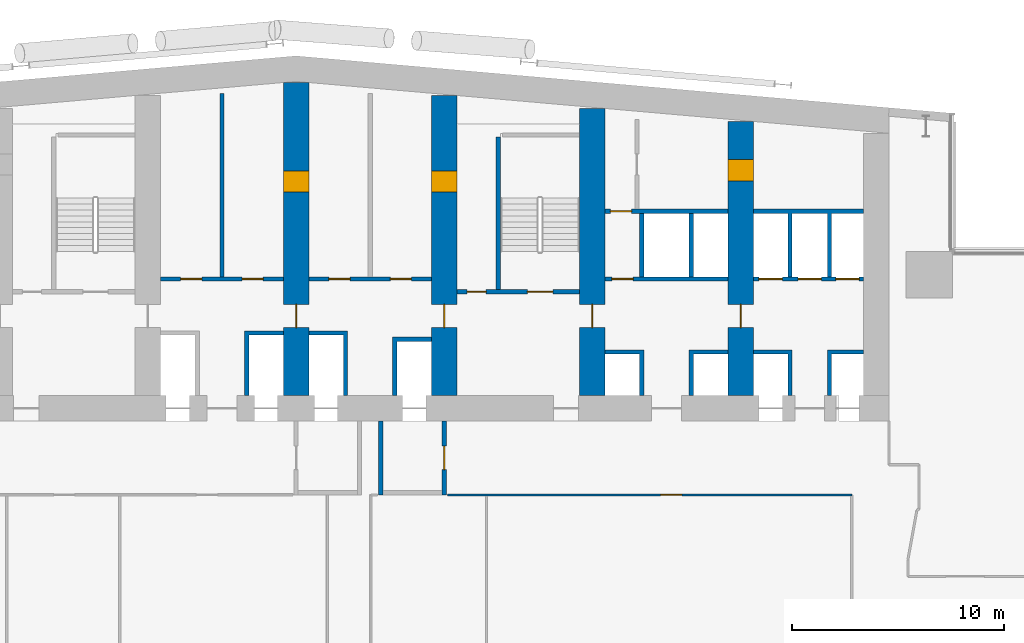
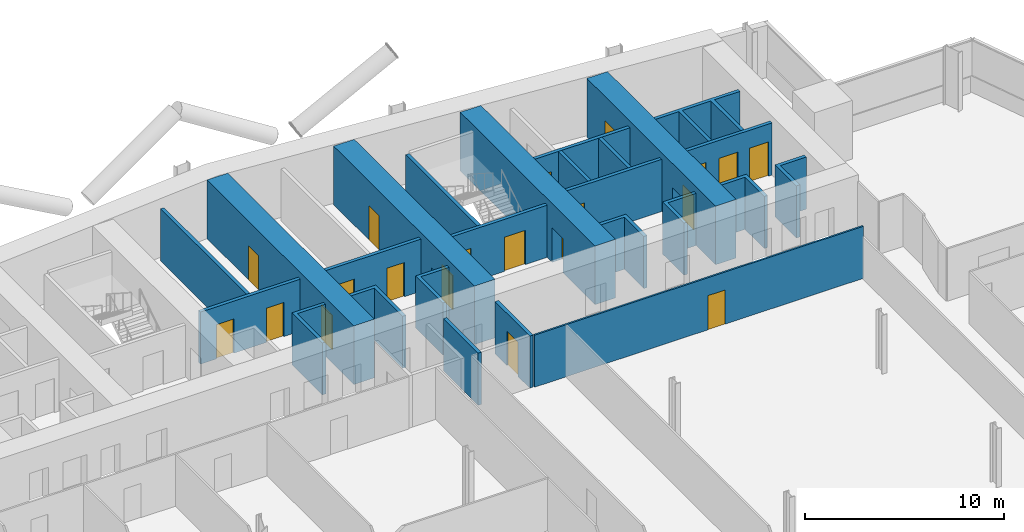
# One storey, part 15 of 25: 25 walls, 20 doors, 20 openings.
"""IFC4 building model written with IfcOpenShell, lengths in metres."""

from ifc_helpers import new_model, si_unit, direction, frame, frame_2d, origin, place, context, subcontext, project, spatial, polyline, rectangle, outline, extrude, material, layer, layer_set, type_object, element, fill, save


model = new_model("IFC4")

# Units and contexts
model_context = context("Model", 3, precision=1e-05, world=origin(), true_north=direction((0.0, 1.0)))
body_context = subcontext(model_context, "Body", "Model", "MODEL_VIEW")
ifc_project = project(units=[si_unit("LENGTHUNIT", "METRE"), si_unit("AREAUNIT", "SQUARE_METRE"), si_unit("VOLUMEUNIT", "CUBIC_METRE"), si_unit("PLANEANGLEUNIT", "RADIAN"), si_unit("MASSUNIT", "GRAM", prefix="KILO")], contexts=[model_context])

# Site, building, storey
site_placement = place(None, origin())
site = spatial("IfcSite", under=ifc_project, at=site_placement, CompositionType="ELEMENT")
building_placement = place(site_placement, origin())
building = spatial("IfcBuilding", under=site, at=building_placement, Name="Wharfspan Tower", CompositionType="ELEMENT")
storey_placement = place(building_placement, frame((0.0, 0.0, 70.300049)))
storey = spatial("IfcBuildingStorey", under=building, at=storey_placement, Name="L14", CompositionType="ELEMENT", Elevation=70.300049)

# Wall, opening, door
ifc_material_1 = material(Name="Gypsum board on steel studs", Category="steel")
ifc_layer_1 = layer(ifc_material_1, 0.100098)
ifc_layer_set_1 = layer_set([ifc_layer_1], Name="Gypsum board on steel studs")
wall_type_1 = type_object("IfcWallType", Name="Compartment wall 100 EI 60", PredefinedType="PARTITIONING", material=ifc_layer_set_1)
wall_1_placement = place(storey_placement, frame((44.149902, 30.5, 0.0), z_axis=(0.0, 0.0, 1.0), x_axis=(1.0, 0.0, 0.0)))
wall_1 = element("IfcWall", 1, at=wall_1_placement, inside=storey, type_object=wall_type_1, Name="Partition L14.w018 (2)", PredefinedType="PARTITIONING", context=body_context, shape_type="SweptSolid", body=[
    extrude(rectangle(XDim=19.100098, YDim=0.100098, at=frame_2d((9.550049, 0.0))), origin(), (0.0, 0.0, 1.0), 3.199951),
])
opening_1_placement = place(wall_1_placement, frame((10.070068, 0.0, 0.0)))
opening_1 = element("IfcOpeningElement", 2, at=opening_1_placement, cuts=wall_1, Name="Opening A3-17", PredefinedType="OPENING", context=body_context, shape_type="SweptSolid", body=[
    extrude(rectangle(XDim=1.0, YDim=2.100098, at=frame_2d((0.5, 1.050049))), frame((0.0, 0.060059, 0.0), z_axis=(0.0, -1.0, 0.0), x_axis=(1.0, 0.0, 0.0)), (0.0, 0.0, 1.0), 0.120117),
])
ifc_material_2 = material(Name="Fire-rated timber door leaf in steel frame", Category="steel")
door_type_1 = type_object("IfcDoorType", Name="Door 1000 FD30S Right", OperationType="SINGLE_SWING_RIGHT", PredefinedType="DOOR", material=ifc_material_2)
door_1_placement = place(opening_1_placement, origin())
door_1 = element("IfcDoor", 3, at=door_1_placement, inside=storey, type_object=door_type_1, Name="Door A3-17", OperationType="SINGLE_SWING_RIGHT", OverallHeight=2.100098, OverallWidth=1.0, PredefinedType="DOOR", context=body_context, shape_type="SweptSolid", body=[
    extrude(rectangle(XDim=1.0, YDim=2.100098, at=frame_2d((0.5, 1.050049))), frame((0.0, 0.024902, 0.0), z_axis=(0.0, -1.0, 0.0), x_axis=(1.0, 0.0, 0.0)), (0.0, 0.0, 1.0), 0.050049),
])
fill(opening_1, door_1)

# Wall
ifc_material_3 = material(Name="Calcium silicate masonry", Category="masonry")
ifc_layer_2 = layer(ifc_material_3, 0.199951)
ifc_layer_set_2 = layer_set([ifc_layer_2], Name="Calcium silicate masonry")
wall_type_2 = type_object("IfcWallType", Name="Core room wall 200", PredefinedType="PARTITIONING", material=ifc_layer_set_2)
wall_2_placement = place(storey_placement, frame((33.5, 40.800049, 0.0), z_axis=(0.0, 0.0, 1.0), x_axis=(0.0, 1.0, 0.0)))
element("IfcWall", 4, at=wall_2_placement, inside=storey, type_object=wall_type_2, Name="sw:L14:RP3.1", PredefinedType="PARTITIONING", context=body_context, shape_type="SweptSolid", body=[
    extrude(rectangle(XDim=8.652588, YDim=0.199951, at=frame_2d((4.326172, 0.0))), origin(), (0.0, 0.0, 1.0), 3.199951),
])

# Wall, openings, doors
ifc_material_4 = material(Name="Concrete C70/85", Category="concrete")
ifc_layer_3 = layer(ifc_material_4, 1.199951)
ifc_layer_set_3 = layer_set([ifc_layer_3], Name="Concrete C70/85")
wall_type_3 = type_object("IfcWallType", Name="Core wall 1200 C70/85", PredefinedType="SHEAR", material=ifc_layer_set_3)
wall_3_placement = place(storey_placement, frame((37.0, 35.199951, 0.0), z_axis=(0.0, 0.0, 1.0), x_axis=(0.0, 1.0, 0.0)))
wall_3 = element("IfcWall", 5, at=wall_3_placement, inside=storey, type_object=wall_type_3, Name="Core cross wall X4 L14", PredefinedType="SHEAR", context=body_context, shape_type="SweptSolid", body=[
    extrude(rectangle(XDim=14.780029, YDim=1.199951, at=frame_2d((7.390137, 0.0))), origin(), (0.0, 0.0, 1.0), 3.599854),
])
opening_2_placement = place(wall_3_placement, frame((3.199951, 0.0, 0.0)))
opening_2 = element("IfcOpeningElement", 6, at=opening_2_placement, cuts=wall_3, Name="Opening CC14.4", PredefinedType="OPENING", context=body_context, shape_type="SweptSolid", body=[
    extrude(rectangle(XDim=1.100098, YDim=2.100098, at=frame_2d((0.550049, 1.050049))), frame((0.0, 0.609863, 0.0), z_axis=(0.0, -1.0, 0.0), x_axis=(1.0, 0.0, 0.0)), (0.0, 0.0, 1.0), 1.219971),
])
opening_3_placement = place(wall_3_placement, frame((9.600098, 0.0, 0.0)))
opening_3 = element("IfcOpeningElement", 7, at=opening_3_placement, cuts=wall_3, Name="Opening CR14.4", PredefinedType="OPENING", context=body_context, shape_type="SweptSolid", body=[
    extrude(rectangle(XDim=1.0, YDim=2.100098, at=frame_2d((0.5, 1.050049))), frame((0.0, 0.609863, 0.0), z_axis=(0.0, -1.0, 0.0), x_axis=(1.0, 0.0, 0.0)), (0.0, 0.0, 1.0), 1.219971),
])
ifc_material_5 = material(Name="Steel door leaf", Category="steel")
door_type_2 = type_object("IfcDoorType", Name="Core corridor door 1100x2100", OperationType="SINGLE_SWING_LEFT", PredefinedType="DOOR", material=ifc_material_5)
door_2_placement = place(opening_2_placement, origin())
door_2 = element("IfcDoor", 8, at=door_2_placement, inside=storey, type_object=door_type_2, Name="xd:L14:4", OperationType="SINGLE_SWING_RIGHT", OverallHeight=2.100098, OverallWidth=1.100098, PredefinedType="DOOR", context=body_context, shape_type="SweptSolid", body=[
    extrude(rectangle(XDim=1.100098, YDim=2.100098, at=frame_2d((0.550049, 1.050049))), frame((0.0, 0.024902, 0.0), z_axis=(0.0, -1.0, 0.0), x_axis=(1.0, 0.0, 0.0)), (0.0, 0.0, 1.0), 0.050049),
])
fill(opening_2, door_2)
door_type_3 = type_object("IfcDoorType", Name="Core room door 1000x2100", OperationType="SINGLE_SWING_LEFT", PredefinedType="DOOR", material=ifc_material_5)
door_3_placement = place(opening_3_placement, origin())
door_3 = element("IfcDoor", 9, at=door_3_placement, inside=storey, type_object=door_type_3, Name="xr:L14:4", OperationType="SINGLE_SWING_RIGHT", OverallHeight=2.100098, OverallWidth=1.0, PredefinedType="DOOR", context=body_context, shape_type="SweptSolid", body=[
    extrude(rectangle(XDim=1.0, YDim=2.100098, at=frame_2d((0.5, 1.050049))), frame((0.0, 0.599609, 0.0), z_axis=(0.0, -1.0, 0.0), x_axis=(1.0, 0.0, 0.0)), (0.0, 0.0, 1.0), 1.199463),
])
fill(opening_3, door_3)

wall_4_placement = place(storey_placement, frame((44.0, 35.199951, 0.0), z_axis=(0.0, 0.0, 1.0), x_axis=(0.0, 1.0, 0.0)))
wall_4 = element("IfcWall", 10, at=wall_4_placement, inside=storey, type_object=wall_type_3, Name="Core cross wall X5 L14", PredefinedType="SHEAR", context=body_context, shape_type="SweptSolid", body=[
    extrude(rectangle(XDim=14.167725, YDim=1.199951, at=frame_2d((7.083984, 0.0))), origin(), (0.0, 0.0, 1.0), 3.599854),
])
opening_4_placement = place(wall_4_placement, frame((3.199951, 0.0, 0.0)))
opening_4 = element("IfcOpeningElement", 11, at=opening_4_placement, cuts=wall_4, Name="Opening CC14.5", PredefinedType="OPENING", context=body_context, shape_type="SweptSolid", body=[
    extrude(rectangle(XDim=1.100098, YDim=2.100098, at=frame_2d((0.550049, 1.050049))), frame((0.0, 0.609863, 0.0), z_axis=(0.0, -1.0, 0.0), x_axis=(1.0, 0.0, 0.0)), (0.0, 0.0, 1.0), 1.219971),
])
opening_5_placement = place(wall_4_placement, frame((9.600098, 0.0, 0.0)))
opening_5 = element("IfcOpeningElement", 12, at=opening_5_placement, cuts=wall_4, Name="Opening CR14.5", PredefinedType="OPENING", context=body_context, shape_type="SweptSolid", body=[
    extrude(rectangle(XDim=1.0, YDim=2.100098, at=frame_2d((0.5, 1.050049))), frame((0.0, 0.609863, 0.0), z_axis=(0.0, -1.0, 0.0), x_axis=(1.0, 0.0, 0.0)), (0.0, 0.0, 1.0), 1.219971),
])
door_4_placement = place(opening_4_placement, origin())
door_4 = element("IfcDoor", 13, at=door_4_placement, inside=storey, type_object=door_type_2, Name="xd:L14:5", OperationType="SINGLE_SWING_LEFT", OverallHeight=2.100098, OverallWidth=1.100098, PredefinedType="DOOR", context=body_context, shape_type="SweptSolid", body=[
    extrude(rectangle(XDim=1.100098, YDim=2.100098, at=frame_2d((0.550049, 1.050049))), frame((0.0, 0.024902, 0.0), z_axis=(0.0, -1.0, 0.0), x_axis=(1.0, 0.0, 0.0)), (0.0, 0.0, 1.0), 0.050049),
])
fill(opening_4, door_4)
door_5_placement = place(opening_5_placement, origin())
door_5 = element("IfcDoor", 14, at=door_5_placement, inside=storey, type_object=door_type_3, Name="xr:L14:5", OperationType="SINGLE_SWING_RIGHT", OverallHeight=2.100098, OverallWidth=1.0, PredefinedType="DOOR", context=body_context, shape_type="SweptSolid", body=[
    extrude(rectangle(XDim=1.0, YDim=2.100098, at=frame_2d((0.5, 1.050049))), frame((0.0, 0.599609, 0.0), z_axis=(0.0, -1.0, 0.0), x_axis=(1.0, 0.0, 0.0)), (0.0, 0.0, 1.0), 1.199463),
])
fill(opening_5, door_5)

# Wall, opening, door
wall_5_placement = place(storey_placement, frame((51.0, 35.199951, 0.0), z_axis=(0.0, 0.0, 1.0), x_axis=(0.0, 1.0, 0.0)))
wall_5 = element("IfcWall", 15, at=wall_5_placement, inside=storey, type_object=wall_type_3, Name="Core cross wall X6 L14", PredefinedType="SHEAR", context=body_context, shape_type="SweptSolid", body=[
    extrude(rectangle(XDim=13.555176, YDim=1.199951, at=frame_2d((6.777588, 0.0))), origin(), (0.0, 0.0, 1.0), 3.599854),
])
opening_6_placement = place(wall_5_placement, frame((3.199951, 0.0, 0.0)))
opening_6 = element("IfcOpeningElement", 16, at=opening_6_placement, cuts=wall_5, Name="Opening CC14.6", PredefinedType="OPENING", context=body_context, shape_type="SweptSolid", body=[
    extrude(rectangle(XDim=1.100098, YDim=2.100098, at=frame_2d((0.550049, 1.050049))), frame((0.0, 0.609863, 0.0), z_axis=(0.0, -1.0, 0.0), x_axis=(1.0, 0.0, 0.0)), (0.0, 0.0, 1.0), 1.219971),
])
door_6_placement = place(opening_6_placement, origin())
door_6 = element("IfcDoor", 17, at=door_6_placement, inside=storey, type_object=door_type_2, Name="xd:L14:6", OperationType="SINGLE_SWING_RIGHT", OverallHeight=2.100098, OverallWidth=1.100098, PredefinedType="DOOR", context=body_context, shape_type="SweptSolid", body=[
    extrude(rectangle(XDim=1.100098, YDim=2.100098, at=frame_2d((0.550049, 1.050049))), frame((0.0, 0.024902, 0.0), z_axis=(0.0, -1.0, 0.0), x_axis=(1.0, 0.0, 0.0)), (0.0, 0.0, 1.0), 0.050049),
])
fill(opening_6, door_6)

# Wall, openings, doors
wall_6_placement = place(storey_placement, frame((58.0, 35.199951, 0.0), z_axis=(0.0, 0.0, 1.0), x_axis=(0.0, 1.0, 0.0)))
wall_6 = element("IfcWall", 18, at=wall_6_placement, inside=storey, type_object=wall_type_3, Name="Core cross wall X7 L14", PredefinedType="SHEAR", context=body_context, shape_type="SweptSolid", body=[
    extrude(rectangle(XDim=12.942871, YDim=1.199951, at=frame_2d((6.471436, 0.0))), origin(), (0.0, 0.0, 1.0), 3.599854),
])
opening_7_placement = place(wall_6_placement, frame((10.133789, 0.0, 0.0)))
opening_7 = element("IfcOpeningElement", 19, at=opening_7_placement, cuts=wall_6, Name="Opening CD14.7X", PredefinedType="OPENING", context=body_context, shape_type="SweptSolid", body=[
    extrude(rectangle(XDim=1.0, YDim=2.100098, at=frame_2d((0.5, 1.050049))), frame((0.0, 0.609863, 0.0), z_axis=(0.0, -1.0, 0.0), x_axis=(1.0, 0.0, 0.0)), (0.0, 0.0, 1.0), 1.219971),
])
opening_8_placement = place(wall_6_placement, frame((3.199951, 0.0, 0.0)))
opening_8 = element("IfcOpeningElement", 20, at=opening_8_placement, cuts=wall_6, Name="Opening CC14.7", PredefinedType="OPENING", context=body_context, shape_type="SweptSolid", body=[
    extrude(rectangle(XDim=1.100098, YDim=2.100098, at=frame_2d((0.550049, 1.050049))), frame((0.0, 0.609863, 0.0), z_axis=(0.0, -1.0, 0.0), x_axis=(1.0, 0.0, 0.0)), (0.0, 0.0, 1.0), 1.219971),
])
door_7_placement = place(opening_8_placement, origin())
door_7 = element("IfcDoor", 21, at=door_7_placement, inside=storey, type_object=door_type_2, Name="xd:L14:7", OperationType="SINGLE_SWING_LEFT", OverallHeight=2.100098, OverallWidth=1.100098, PredefinedType="DOOR", context=body_context, shape_type="SweptSolid", body=[
    extrude(rectangle(XDim=1.100098, YDim=2.100098, at=frame_2d((0.550049, 1.050049))), frame((0.0, 0.024902, 0.0), z_axis=(0.0, -1.0, 0.0), x_axis=(1.0, 0.0, 0.0)), (0.0, 0.0, 1.0), 0.050049),
])
fill(opening_8, door_7)
door_8_placement = place(opening_7_placement, origin())
door_8 = element("IfcDoor", 22, at=door_8_placement, inside=storey, type_object=door_type_3, Name="d:L14:7:sx", OperationType="SINGLE_SWING_LEFT", OverallHeight=2.100098, OverallWidth=1.0, PredefinedType="DOOR", context=body_context, shape_type="SweptSolid", body=[
    extrude(rectangle(XDim=1.0, YDim=2.100098, at=frame_2d((0.5, 1.050049))), frame((0.0, 0.599609, 0.0), z_axis=(0.0, -1.0, 0.0), x_axis=(1.0, 0.0, 0.0)), (0.0, 0.0, 1.0), 1.199463),
])
fill(opening_7, door_8)

ifc_material_6 = material(Name="Concrete C30/37", Category="concrete")
ifc_layer_4 = layer(ifc_material_6, 0.199951)
ifc_layer_set_4 = layer_set([ifc_layer_4], Name="Concrete C30/37")
wall_type_4 = type_object("IfcWallType", Name="Lift shaft wall 200", PredefinedType="PARTITIONING", material=ifc_layer_set_4)
wall_7_placement = place(storey_placement, frame((30.600098, 40.699951, 0.0), z_axis=(0.0, 0.0, 1.0), x_axis=(1.0, 0.0, 0.0)))
wall_7 = element("IfcWall", 23, at=wall_7_placement, inside=storey, type_object=wall_type_4, Name="sw:L14:RF3", PredefinedType="PARTITIONING", context=body_context, shape_type="SweptSolid", body=[
    extrude(rectangle(XDim=5.799805, YDim=0.199951, at=frame_2d((2.899902, 0.0))), origin(), (0.0, 0.0, 1.0), 3.199951),
])
opening_9_placement = place(wall_7_placement, frame((0.949951, 0.0, 0.0)))
opening_9 = element("IfcOpeningElement", 24, at=opening_9_placement, cuts=wall_7, Name="Opening CD14.3S", PredefinedType="OPENING", context=body_context, shape_type="SweptSolid", body=[
    extrude(rectangle(XDim=1.0, YDim=2.100098, at=frame_2d((0.5, 1.050049))), frame((0.0, 0.109863, 0.0), z_axis=(0.0, -1.0, 0.0), x_axis=(1.0, 0.0, 0.0)), (0.0, 0.0, 1.0), 0.219971),
])
opening_10_placement = place(wall_7_placement, frame((3.850098, 0.0, 0.0)))
opening_10 = element("IfcOpeningElement", 25, at=opening_10_placement, cuts=wall_7, Name="Opening CD14.3Sa", PredefinedType="OPENING", context=body_context, shape_type="SweptSolid", body=[
    extrude(rectangle(XDim=1.0, YDim=2.100098, at=frame_2d((0.5, 1.050049))), frame((0.0, 0.109863, 0.0), z_axis=(0.0, -1.0, 0.0), x_axis=(1.0, 0.0, 0.0)), (0.0, 0.0, 1.0), 0.219971),
])
door_9_placement = place(opening_9_placement, origin())
door_9 = element("IfcDoor", 26, at=door_9_placement, inside=storey, type_object=door_type_3, Name="d:L14:3:sf", OperationType="SINGLE_SWING_LEFT", OverallHeight=2.100098, OverallWidth=1.0, PredefinedType="DOOR", context=body_context, shape_type="SweptSolid", body=[
    extrude(rectangle(XDim=1.0, YDim=2.100098, at=frame_2d((0.5, 1.050049))), frame((0.0, 0.024902, 0.0), z_axis=(0.0, -1.0, 0.0), x_axis=(1.0, 0.0, 0.0)), (0.0, 0.0, 1.0), 0.050049),
])
fill(opening_9, door_9)
door_10_placement = place(opening_10_placement, origin())
door_10 = element("IfcDoor", 27, at=door_10_placement, inside=storey, type_object=door_type_3, Name="d:L14:3:sf1", OperationType="SINGLE_SWING_LEFT", OverallHeight=2.100098, OverallWidth=1.0, PredefinedType="DOOR", context=body_context, shape_type="SweptSolid", body=[
    extrude(rectangle(XDim=1.0, YDim=2.100098, at=frame_2d((0.5, 1.050049))), frame((0.0, 0.024902, 0.0), z_axis=(0.0, -1.0, 0.0), x_axis=(1.0, 0.0, 0.0)), (0.0, 0.0, 1.0), 0.050049),
])
fill(opening_10, door_10)

# Wall
wall_8_placement = place(storey_placement, frame((0.0, 0.0, -0.000244)))
element("IfcWall", 28, at=wall_8_placement, inside=storey, type_object=wall_type_4, Name="sw:L14:FM3.1", PredefinedType="PARTITIONING", context=body_context, shape_type="SweptSolid", body=[
    extrude(outline(polyline([(34.56665, 38.25), (34.766602, 38.25), (36.399902, 38.25), (36.399902, 38.050049), (34.766602, 38.050049), (34.766602, 35.199951), (34.56665, 35.199951), (34.56665, 38.25)])), origin(), (0.0, 0.0, 1.0), 3.200195),
])

# Wall, openings, doors
wall_9_placement = place(storey_placement, frame((37.600098, 40.699951, 0.0), z_axis=(0.0, 0.0, 1.0), x_axis=(1.0, 0.0, 0.0)))
wall_9 = element("IfcWall", 29, at=wall_9_placement, inside=storey, type_object=wall_type_4, Name="sw:L14:RF4", PredefinedType="PARTITIONING", context=body_context, shape_type="SweptSolid", body=[
    extrude(rectangle(XDim=5.799805, YDim=0.199951, at=frame_2d((2.899902, 0.0))), origin(), (0.0, 0.0, 1.0), 3.199951),
])
opening_11_placement = place(wall_9_placement, frame((0.949951, 0.0, 0.0)))
opening_11 = element("IfcOpeningElement", 30, at=opening_11_placement, cuts=wall_9, Name="Opening CD14.4S", PredefinedType="OPENING", context=body_context, shape_type="SweptSolid", body=[
    extrude(rectangle(XDim=1.0, YDim=2.100098, at=frame_2d((0.5, 1.050049))), frame((0.0, 0.109863, 0.0), z_axis=(0.0, -1.0, 0.0), x_axis=(1.0, 0.0, 0.0)), (0.0, 0.0, 1.0), 0.219971),
])
opening_12_placement = place(wall_9_placement, frame((3.850098, 0.0, 0.0)))
opening_12 = element("IfcOpeningElement", 31, at=opening_12_placement, cuts=wall_9, Name="Opening CD14.4Sa", PredefinedType="OPENING", context=body_context, shape_type="SweptSolid", body=[
    extrude(rectangle(XDim=1.0, YDim=2.100098, at=frame_2d((0.5, 1.050049))), frame((0.0, 0.109863, 0.0), z_axis=(0.0, -1.0, 0.0), x_axis=(1.0, 0.0, 0.0)), (0.0, 0.0, 1.0), 0.219971),
])
door_11_placement = place(opening_11_placement, origin())
door_11 = element("IfcDoor", 32, at=door_11_placement, inside=storey, type_object=door_type_3, Name="d:L14:4:sf", OperationType="SINGLE_SWING_LEFT", OverallHeight=2.100098, OverallWidth=1.0, PredefinedType="DOOR", context=body_context, shape_type="SweptSolid", body=[
    extrude(rectangle(XDim=1.0, YDim=2.100098, at=frame_2d((0.5, 1.050049))), frame((0.0, 0.024902, 0.0), z_axis=(0.0, -1.0, 0.0), x_axis=(1.0, 0.0, 0.0)), (0.0, 0.0, 1.0), 0.050049),
])
fill(opening_11, door_11)
door_12_placement = place(opening_12_placement, origin())
door_12 = element("IfcDoor", 33, at=door_12_placement, inside=storey, type_object=door_type_3, Name="d:L14:4:sf1", OperationType="SINGLE_SWING_LEFT", OverallHeight=2.100098, OverallWidth=1.0, PredefinedType="DOOR", context=body_context, shape_type="SweptSolid", body=[
    extrude(rectangle(XDim=1.0, YDim=2.100098, at=frame_2d((0.5, 1.050049))), frame((0.0, 0.024902, 0.0), z_axis=(0.0, -1.0, 0.0), x_axis=(1.0, 0.0, 0.0)), (0.0, 0.0, 1.0), 0.050049),
])
fill(opening_12, door_12)

# Walls
wall_10_placement = place(storey_placement, frame((0.0, 0.0, -0.000244)))
element("IfcWall", 34, at=wall_10_placement, inside=storey, type_object=wall_type_4, Name="sw:L14:FM4.0", PredefinedType="PARTITIONING", context=body_context, shape_type="SweptSolid", body=[
    extrude(outline(polyline([(41.56665, 37.949951), (41.766602, 37.949951), (43.399902, 37.949951), (43.399902, 37.75), (41.766602, 37.75), (41.766602, 35.199951), (41.56665, 35.199951), (41.56665, 37.949951)])), origin(), (0.0, 0.0, 1.0), 3.200195),
])
wall_11_placement = place(storey_placement, frame((0.0, 0.0, -0.000244)))
element("IfcWall", 35, at=wall_11_placement, inside=storey, type_object=wall_type_4, Name="sw:L14:FM4.1", PredefinedType="PARTITIONING", context=body_context, shape_type="SweptSolid", body=[
    extrude(outline(polyline([(39.233398, 38.050049), (37.600098, 38.050049), (37.600098, 38.25), (39.233398, 38.25), (39.43335, 38.25), (39.43335, 35.199951), (39.233398, 35.199951), (39.233398, 38.050049)])), origin(), (0.0, 0.0, 1.0), 3.200195),
])

# Wall, opening, door
wall_12_placement = place(storey_placement, frame((51.600098, 40.699951, 0.0), z_axis=(0.0, 0.0, 1.0), x_axis=(1.0, 0.0, 0.0)))
wall_12 = element("IfcWall", 36, at=wall_12_placement, inside=storey, type_object=wall_type_4, Name="sw:L14:RF6", PredefinedType="PARTITIONING", context=body_context, shape_type="SweptSolid", body=[
    extrude(rectangle(XDim=5.799805, YDim=0.199951, at=frame_2d((2.899902, 0.0))), origin(), (0.0, 0.0, 1.0), 3.199951),
])
opening_13_placement = place(wall_12_placement, frame((0.31665, 0.0, 0.0)))
opening_13 = element("IfcOpeningElement", 37, at=opening_13_placement, cuts=wall_12, Name="Opening CD14.6R1", PredefinedType="OPENING", context=body_context, shape_type="SweptSolid", body=[
    extrude(rectangle(XDim=1.0, YDim=2.100098, at=frame_2d((0.5, 1.050049))), frame((0.0, 0.109863, 0.0), z_axis=(0.0, -1.0, 0.0), x_axis=(1.0, 0.0, 0.0)), (0.0, 0.0, 1.0), 0.219971),
])
door_13_placement = place(opening_13_placement, origin())
door_13 = element("IfcDoor", 38, at=door_13_placement, inside=storey, type_object=door_type_3, Name="d:L14:6:rd6.1", OperationType="SINGLE_SWING_RIGHT", OverallHeight=2.100098, OverallWidth=1.0, PredefinedType="DOOR", context=body_context, shape_type="SweptSolid", body=[
    extrude(rectangle(XDim=1.0, YDim=2.100098, at=frame_2d((0.5, 1.050049))), frame((0.0, 0.024902, 0.0), z_axis=(0.0, -1.0, 0.0), x_axis=(1.0, 0.0, 0.0)), (0.0, 0.0, 1.0), 0.050049),
])
fill(opening_13, door_13)

wall_13_placement = place(storey_placement, frame((51.600098, 43.899902, 0.0), z_axis=(0.0, 0.0, 1.0), x_axis=(1.0, 0.0, 0.0)))
wall_13 = element("IfcWall", 39, at=wall_13_placement, inside=storey, type_object=wall_type_4, Name="sw:L14:RR6", PredefinedType="PARTITIONING", context=body_context, shape_type="SweptSolid", body=[
    extrude(rectangle(XDim=5.799805, YDim=0.199951, at=frame_2d((2.899902, 0.0))), origin(), (0.0, 0.0, 1.0), 3.199951),
])
opening_14_placement = place(wall_13_placement, frame((0.25, 0.0, 0.0)))
opening_14 = element("IfcOpeningElement", 40, at=opening_14_placement, cuts=wall_13, Name="Opening CD14.6S1", PredefinedType="OPENING", context=body_context, shape_type="SweptSolid", body=[
    extrude(rectangle(XDim=1.0, YDim=2.100098, at=frame_2d((0.5, 1.050049))), frame((0.0, 0.109863, 0.0), z_axis=(0.0, -1.0, 0.0), x_axis=(1.0, 0.0, 0.0)), (0.0, 0.0, 1.0), 0.219971),
])
door_14_placement = place(opening_14_placement, origin())
door_14 = element("IfcDoor", 41, at=door_14_placement, inside=storey, type_object=door_type_3, Name="d:L14:6:rs6.1", OperationType="SINGLE_SWING_LEFT", OverallHeight=2.100098, OverallWidth=1.0, PredefinedType="DOOR", context=body_context, shape_type="SweptSolid", body=[
    extrude(rectangle(XDim=1.0, YDim=2.100098, at=frame_2d((0.5, 1.050049))), frame((0.0, 0.024902, 0.0), z_axis=(0.0, -1.0, 0.0), x_axis=(1.0, 0.0, 0.0)), (0.0, 0.0, 1.0), 0.050049),
])
fill(opening_14, door_14)

# Walls
wall_14_placement = place(storey_placement, frame((0.0, 0.0, -0.000244)))
element("IfcWall", 42, at=wall_14_placement, inside=storey, type_object=wall_type_4, Name="sw:L14:FM6.0", PredefinedType="PARTITIONING", context=body_context, shape_type="SweptSolid", body=[
    extrude(outline(polyline([(53.233398, 37.149902), (51.600098, 37.149902), (51.600098, 37.350098), (53.233398, 37.350098), (53.43335, 37.350098), (53.43335, 35.199951), (53.233398, 35.199951), (53.233398, 37.149902)])), origin(), (0.0, 0.0, 1.0), 3.200195),
])
wall_15_placement = place(storey_placement, frame((0.0, 0.0, -0.000244)))
element("IfcWall", 43, at=wall_15_placement, inside=storey, type_object=wall_type_4, Name="sw:L14:FM6.1", PredefinedType="PARTITIONING", context=body_context, shape_type="SweptSolid", body=[
    extrude(outline(polyline([(55.56665, 37.350098), (55.766602, 37.350098), (57.399902, 37.350098), (57.399902, 37.149902), (55.766602, 37.149902), (55.766602, 35.199951), (55.56665, 35.199951), (55.56665, 37.350098)])), origin(), (0.0, 0.0, 1.0), 3.200195),
])
wall_16_placement = place(storey_placement, frame((0.0, 0.0, -0.000244)))
element("IfcWall", 44, at=wall_16_placement, inside=storey, type_object=wall_type_4, Name="sw:L14:RM6.0", PredefinedType="PARTITIONING", context=body_context, shape_type="SweptSolid", body=[
    extrude(outline(polyline([(53.233398, 40.800049), (53.233398, 43.800049), (53.43335, 43.800049), (53.43335, 40.800049), (53.233398, 40.800049)])), origin(), (0.0, 0.0, 1.0), 3.200195),
])
wall_17_placement = place(storey_placement, frame((0.0, 0.0, -0.000244)))
element("IfcWall", 45, at=wall_17_placement, inside=storey, type_object=wall_type_4, Name="sw:L14:RM6.1", PredefinedType="PARTITIONING", context=body_context, shape_type="SweptSolid", body=[
    extrude(outline(polyline([(55.56665, 40.800049), (55.56665, 43.800049), (55.766602, 43.800049), (55.766602, 40.800049), (55.56665, 40.800049)])), origin(), (0.0, 0.0, 1.0), 3.200195),
])

# Wall, openings, doors
wall_18_placement = place(storey_placement, frame((58.600098, 40.699951, 0.0), z_axis=(0.0, 0.0, 1.0), x_axis=(1.0, 0.0, 0.0)))
wall_18 = element("IfcWall", 46, at=wall_18_placement, inside=storey, type_object=wall_type_4, Name="sw:L14:RF7", PredefinedType="PARTITIONING", context=body_context, shape_type="SweptSolid", body=[
    extrude(rectangle(XDim=5.199951, YDim=0.199951, at=frame_2d((2.600098, 0.0))), origin(), (0.0, 0.0, 1.0), 3.199951),
])
opening_15_placement = place(wall_18_placement, frame((0.266602, 0.0, 0.0)))
opening_15 = element("IfcOpeningElement", 47, at=opening_15_placement, cuts=wall_18, Name="Opening LD.LA8.L14", PredefinedType="OPENING", context=body_context, shape_type="SweptSolid", body=[
    extrude(rectangle(XDim=1.100098, YDim=2.100098, at=frame_2d((0.550049, 1.050049))), frame((0.0, 0.109863, 0.0), z_axis=(0.0, -1.0, 0.0), x_axis=(1.0, 0.0, 0.0)), (0.0, 0.0, 1.0), 0.219971),
])
opening_16_placement = place(wall_18_placement, frame((2.116699, 0.0, 0.0)))
opening_16 = element("IfcOpeningElement", 48, at=opening_16_placement, cuts=wall_18, Name="Opening LD.LA9.L14", PredefinedType="OPENING", context=body_context, shape_type="SweptSolid", body=[
    extrude(rectangle(XDim=1.100098, YDim=2.100098, at=frame_2d((0.550049, 1.050049))), frame((0.0, 0.109863, 0.0), z_axis=(0.0, -1.0, 0.0), x_axis=(1.0, 0.0, 0.0)), (0.0, 0.0, 1.0), 0.219971),
])
opening_17_placement = place(wall_18_placement, frame((3.899902, 0.0, 0.0)))
opening_17 = element("IfcOpeningElement", 49, at=opening_17_placement, cuts=wall_18, Name="Opening LD.LA10.L14", PredefinedType="OPENING", context=body_context, shape_type="SweptSolid", body=[
    extrude(rectangle(XDim=1.100098, YDim=2.100098, at=frame_2d((0.550049, 1.050049))), frame((0.0, 0.109863, 0.0), z_axis=(0.0, -1.0, 0.0), x_axis=(1.0, 0.0, 0.0)), (0.0, 0.0, 1.0), 0.219971),
])
ifc_material_7 = material(Name="Stainless steel", Category="steel")
door_type_4 = type_object("IfcDoorType", Name="Lift landing door 1100x2100", OperationType="DOUBLE_DOOR_SLIDING", PredefinedType="DOOR", material=ifc_material_7)
door_15_placement = place(opening_15_placement, origin())
door_15 = element("IfcDoor", 50, at=door_15_placement, inside=storey, type_object=door_type_4, Name="Landing door LA8 L14", OperationType="DOUBLE_DOOR_SLIDING", OverallHeight=2.100098, OverallWidth=1.100098, PredefinedType="DOOR", context=body_context, shape_type="SweptSolid", body=[
    extrude(rectangle(XDim=1.100098, YDim=2.100098, at=frame_2d((0.550049, 1.050049))), frame((0.0, 0.024902, 0.0), z_axis=(0.0, -1.0, 0.0), x_axis=(1.0, 0.0, 0.0)), (0.0, 0.0, 1.0), 0.050049),
])
fill(opening_15, door_15)
door_16_placement = place(opening_16_placement, origin())
door_16 = element("IfcDoor", 51, at=door_16_placement, inside=storey, type_object=door_type_4, Name="Landing door LA9 L14", OperationType="DOUBLE_DOOR_SLIDING", OverallHeight=2.100098, OverallWidth=1.100098, PredefinedType="DOOR", context=body_context, shape_type="SweptSolid", body=[
    extrude(rectangle(XDim=1.100098, YDim=2.100098, at=frame_2d((0.550049, 1.050049))), frame((0.0, 0.024902, 0.0), z_axis=(0.0, -1.0, 0.0), x_axis=(1.0, 0.0, 0.0)), (0.0, 0.0, 1.0), 0.050049),
])
fill(opening_16, door_16)
door_17_placement = place(opening_17_placement, origin())
door_17 = element("IfcDoor", 52, at=door_17_placement, inside=storey, type_object=door_type_4, Name="Landing door LA10 L14", OperationType="DOUBLE_DOOR_SLIDING", OverallHeight=2.100098, OverallWidth=1.100098, PredefinedType="DOOR", context=body_context, shape_type="SweptSolid", body=[
    extrude(rectangle(XDim=1.100098, YDim=2.100098, at=frame_2d((0.550049, 1.050049))), frame((0.0, 0.024902, 0.0), z_axis=(0.0, -1.0, 0.0), x_axis=(1.0, 0.0, 0.0)), (0.0, 0.0, 1.0), 0.050049),
])
fill(opening_17, door_17)

# Walls
wall_19_placement = place(storey_placement, frame((0.0, 0.0, -0.000244)))
element("IfcWall", 53, at=wall_19_placement, inside=storey, type_object=wall_type_4, Name="sw:L14:FM7.0", PredefinedType="PARTITIONING", context=body_context, shape_type="SweptSolid", body=[
    extrude(outline(polyline([(60.233398, 37.149902), (58.600098, 37.149902), (58.600098, 37.350098), (60.233398, 37.350098), (60.43335, 37.350098), (60.43335, 35.199951), (60.233398, 35.199951), (60.233398, 37.149902)])), origin(), (0.0, 0.0, 1.0), 3.200195),
])
wall_20_placement = place(storey_placement, frame((0.0, 0.0, -0.000244)))
element("IfcWall", 54, at=wall_20_placement, inside=storey, type_object=wall_type_4, Name="sw:L14:FM7.1", PredefinedType="PARTITIONING", context=body_context, shape_type="SweptSolid", body=[
    extrude(outline(polyline([(62.100098, 37.350098), (62.300049, 37.350098), (63.800049, 37.350098), (63.800049, 37.149902), (62.300049, 37.149902), (62.300049, 35.199951), (62.100098, 35.199951), (62.100098, 37.350098)])), origin(), (0.0, 0.0, 1.0), 3.200195),
])
wall_21_placement = place(storey_placement, frame((0.0, 0.0, -0.000244)))
element("IfcWall", 55, at=wall_21_placement, inside=storey, type_object=wall_type_4, Name="sw:L14:RM7.0", PredefinedType="PARTITIONING", context=body_context, shape_type="SweptSolid", body=[
    extrude(outline(polyline([(60.43335, 40.800049), (60.233398, 40.800049), (60.233398, 43.800049), (58.600098, 43.800049), (58.600098, 44.0), (63.800049, 44.0), (63.800049, 43.800049), (62.300049, 43.800049), (62.300049, 40.800049), (62.100098, 40.800049), (62.100098, 43.800049), (60.43335, 43.800049), (60.43335, 40.800049)])), origin(), (0.0, 0.0, 1.0), 3.200195),
])
ifc_layer_5 = layer(ifc_material_6, 0.199951)
ifc_layer_set_5 = layer_set([ifc_layer_5], Name="Concrete C30/37")
wall_type_5 = type_object("IfcWallType", Name="Lobby wall 200", PredefinedType="PARTITIONING", material=ifc_layer_set_5)
wall_22_placement = place(storey_placement, frame((41.0, 30.5, 0.0), z_axis=(0.0, 0.0, 1.0), x_axis=(0.0, 1.0, 0.0)))
element("IfcWall", 56, at=wall_22_placement, inside=storey, type_object=wall_type_5, Name="sw:L14:FLFF2W", PredefinedType="PARTITIONING", context=body_context, shape_type="SweptSolid", body=[
    extrude(rectangle(XDim=3.5, YDim=0.199951, at=frame_2d((1.75, 0.0))), origin(), (0.0, 0.0, 1.0), 3.199951),
])

# Wall, opening, door
wall_23_placement = place(storey_placement, frame((44.0, 30.5, 0.0), z_axis=(0.0, 0.0, 1.0), x_axis=(0.0, 1.0, 0.0)))
wall_23 = element("IfcWall", 57, at=wall_23_placement, inside=storey, type_object=wall_type_5, Name="sw:L14:FLFF2E", PredefinedType="PARTITIONING", context=body_context, shape_type="SweptSolid", body=[
    extrude(rectangle(XDim=3.5, YDim=0.199951, at=frame_2d((1.75, 0.0))), origin(), (0.0, 0.0, 1.0), 3.199951),
])
opening_18_placement = place(wall_23_placement, frame((1.199951, 0.0, 0.0)))
opening_18 = element("IfcOpeningElement", 58, at=opening_18_placement, cuts=wall_23, Name="Opening FL.FF2.L14", PredefinedType="OPENING", context=body_context, shape_type="SweptSolid", body=[
    extrude(rectangle(XDim=1.100098, YDim=2.100098, at=frame_2d((0.550049, 1.050049))), frame((0.0, 0.109863, 0.0), z_axis=(0.0, -1.0, 0.0), x_axis=(1.0, 0.0, 0.0)), (0.0, 0.0, 1.0), 0.219971),
])
door_type_5 = type_object("IfcDoorType", Name="Firefighting lobby door 1100x2100", OperationType="SINGLE_SWING_LEFT", PredefinedType="DOOR", material=ifc_material_5)
door_18_placement = place(opening_18_placement, origin())
door_18 = element("IfcDoor", 59, at=door_18_placement, inside=storey, type_object=door_type_5, Name="fd:L14:FF2", OperationType="SINGLE_SWING_LEFT", OverallHeight=2.100098, OverallWidth=1.100098, PredefinedType="DOOR", context=body_context, shape_type="SweptSolid", body=[
    extrude(rectangle(XDim=1.100098, YDim=2.100098, at=frame_2d((0.550049, 1.050049))), frame((0.0, 0.024902, 0.0), z_axis=(0.0, -1.0, 0.0), x_axis=(1.0, 0.0, 0.0)), (0.0, 0.0, 1.0), 0.050049),
])
fill(opening_18, door_18)

# Wall, openings, doors
ifc_material_8 = material(Name="Concrete C40/50", Category="concrete")
ifc_layer_6 = layer(ifc_material_8, 0.199951)
ifc_layer_set_6 = layer_set([ifc_layer_6], Name="Concrete C40/50")
wall_type_6 = type_object("IfcWallType", Name="Stair shaft wall 200", PredefinedType="SHEAR", material=ifc_layer_set_6)
wall_24_placement = place(storey_placement, frame((44.600098, 40.100098, 0.0), z_axis=(0.0, 0.0, 1.0), x_axis=(1.0, 0.0, 0.0)))
wall_24 = element("IfcWall", 60, at=wall_24_placement, inside=storey, type_object=wall_type_6, Name="ST2 stair enclosure wall L14", PredefinedType="SHEAR", context=body_context, shape_type="SweptSolid", body=[
    extrude(rectangle(XDim=5.799805, YDim=0.199951, at=frame_2d((2.899902, 0.0))), origin(), (0.0, 0.0, 1.0), 3.199951),
])
opening_19_placement = place(wall_24_placement, frame((3.324951, 0.0, 0.0)))
opening_19 = element("IfcOpeningElement", 61, at=opening_19_placement, cuts=wall_24, Name="Opening SD5.L14", PredefinedType="OPENING", context=body_context, shape_type="SweptSolid", body=[
    extrude(rectangle(XDim=1.199951, YDim=2.100098, at=frame_2d((0.600098, 1.050049))), frame((0.0, 0.109863, 0.0), z_axis=(0.0, -1.0, 0.0), x_axis=(1.0, 0.0, 0.0)), (0.0, 0.0, 1.0), 0.219971),
])
opening_20_placement = place(wall_24_placement, frame((0.475098, 0.0, 0.0)))
opening_20 = element("IfcOpeningElement", 62, at=opening_20_placement, cuts=wall_24, Name="Opening CD14.5R", PredefinedType="OPENING", context=body_context, shape_type="SweptSolid", body=[
    extrude(rectangle(XDim=0.899902, YDim=2.100098, at=frame_2d((0.449951, 1.050049))), frame((0.0, 0.109863, 0.0), z_axis=(0.0, -1.0, 0.0), x_axis=(1.0, 0.0, 0.0)), (0.0, 0.0, 1.0), 0.219971),
])
door_19_placement = place(opening_20_placement, origin())
door_19 = element("IfcDoor", 63, at=door_19_placement, inside=storey, type_object=door_type_3, Name="rk:L14:5", OperationType="SINGLE_SWING_LEFT", OverallHeight=2.100098, OverallWidth=0.899902, PredefinedType="DOOR", context=body_context, shape_type="SweptSolid", body=[
    extrude(rectangle(XDim=0.899902, YDim=2.100098, at=frame_2d((0.449951, 1.050049))), frame((0.0, 0.024902, 0.0), z_axis=(0.0, -1.0, 0.0), x_axis=(1.0, 0.0, 0.0)), (0.0, 0.0, 1.0), 0.050049),
])
fill(opening_20, door_19)
door_type_6 = type_object("IfcDoorType", Name="Stair door 1200x2100", OperationType="SINGLE_SWING_LEFT", PredefinedType="DOOR", material=ifc_material_5)
door_20_placement = place(opening_19_placement, origin())
door_20 = element("IfcDoor", 64, at=door_20_placement, inside=storey, type_object=door_type_6, Name="sd:L14:5", OperationType="SINGLE_SWING_RIGHT", OverallHeight=2.100098, OverallWidth=1.199951, PredefinedType="DOOR", context=body_context, shape_type="SweptSolid", body=[
    extrude(rectangle(XDim=1.199951, YDim=2.100098, at=frame_2d((0.600098, 1.050049))), frame((0.0, 0.024902, 0.0), z_axis=(0.0, -1.0, 0.0), x_axis=(1.0, 0.0, 0.0)), (0.0, 0.0, 1.0), 0.050049),
])
fill(opening_19, door_20)

# Wall
wall_25_placement = place(storey_placement, frame((46.550049, 40.199951, 0.0), z_axis=(0.0, 0.0, 1.0), x_axis=(0.0, 1.0, 0.0)))
element("IfcWall", 65, at=wall_25_placement, inside=storey, type_object=wall_type_6, Name="ST2 stair enclosure wall L14", PredefinedType="SHEAR", context=body_context, shape_type="SweptSolid", body=[
    extrude(rectangle(XDim=7.199951, YDim=0.199951, at=frame_2d((3.600098, 0.0))), origin(), (0.0, 0.0, 1.0), 3.199951),
])

save(model, "model.ifc")
